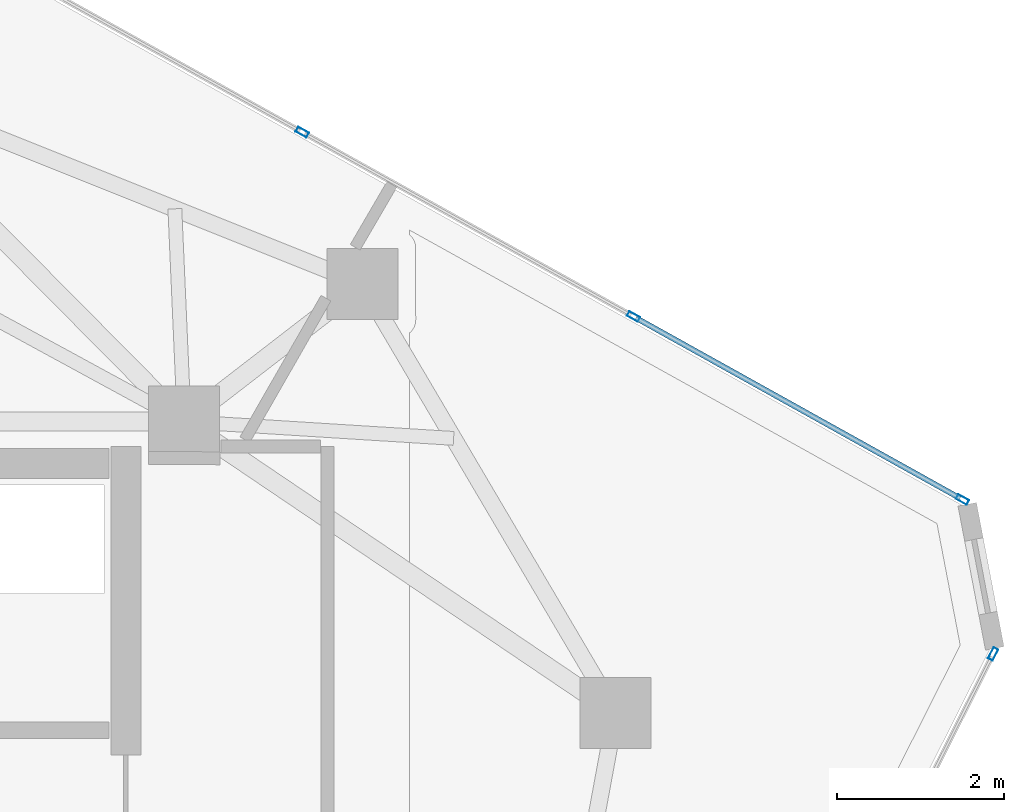
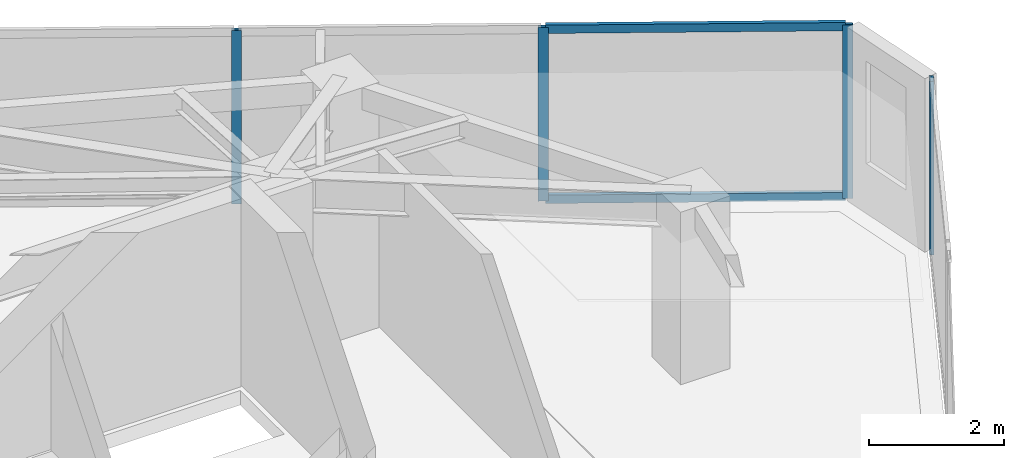
# One storey, part 15 of 20: 6 members, 2 elements without a shape of their own.
"""IFC4 building model written with IfcOpenShell, lengths in metres."""

from ifc_helpers import new_model, si_unit, direction, frame, origin, origin_2d, place, context, subcontext, project, spatial, hollow_rectangle, extrude, source, transform, mapped, material, layer, layer_set, material_profile, profile_set, type_object, type_shapes, element, aggregate, save


model = new_model("IFC4")

# Units and contexts
model_context = context("Model", 3, precision=1e-05, world=origin(), true_north=direction((0.0, 1.0)))
body_context = subcontext(model_context, "Body", "Model", "MODEL_VIEW")
ifc_project = project(units=[si_unit("LENGTHUNIT", "METRE"), si_unit("AREAUNIT", "SQUARE_METRE"), si_unit("VOLUMEUNIT", "CUBIC_METRE"), si_unit("PLANEANGLEUNIT", "RADIAN"), si_unit("MASSUNIT", "GRAM", prefix="KILO")], contexts=[model_context])

# Site, building, storey
site_placement = place(None, origin())
site = spatial("IfcSite", under=ifc_project, at=site_placement, CompositionType="ELEMENT")
building_placement = place(site_placement, origin())
building = spatial("IfcBuilding", under=site, at=building_placement, Name="Talar Marvaseh", CompositionType="ELEMENT")
storey_placement = place(building_placement, frame((0.0, 0.0, 285.0)))
storey = spatial("IfcBuildingStorey", under=building, at=storey_placement, Name="L76", CompositionType="ELEMENT", Elevation=285.0)

# Curtain wall, members
ifc_material = material(Name="Architectural Aluminium", Category="aluminium")
ifc_layer = layer(ifc_material, 0.179931640625)
ifc_layer_set = layer_set([ifc_layer], Name="Architectural Aluminium")
curtain_wall_type = type_object("IfcCurtainWallType", Name="Unitised High-Wind Sky Curtain Wall Z4", PredefinedType="NOTDEFINED", material=ifc_layer_set)
curtain_wall_1_placement = place(storey_placement, origin())
curtain_wall_1 = element("IfcCurtainWall", 1, at=curtain_wall_1_placement, inside=storey, type_object=curtain_wall_type, Name="L76 Unitised High-Wind Sky Curtain Wall Z4", PredefinedType="NOTDEFINED")
ifc_material_profile_1 = material_profile(ifc_material, hollow_rectangle(XDim=0.06494140625, YDim=0.14990234375, WallThickness=0.00390625, at=origin_2d()), Name="RHS150x65x4")
ifc_profile_set_1 = profile_set([ifc_material_profile_1], Name="Architectural Aluminium")
member_type_1 = type_object("IfcMemberType", Name="Unitised Curtain Wall Slim Mullion RHS150x65x4", PredefinedType="MULLION", material=ifc_profile_set_1)
shared_shape_1 = source(origin(), body_context, "Body", "SweptSolid", [
    extrude(hollow_rectangle(XDim=0.06494140625, YDim=0.14990234375, WallThickness=0.00390625, at=origin_2d()), origin(), (0.0, 0.0, 1.0), 3.139892578125),
])
type_shapes(member_type_1, [shared_shape_1])
member_1_placement = place(storey_placement, frame((34.715576171875, 40.369873046875, 0.0), z_axis=(0.0, 0.0, 1.0), x_axis=(0.486279216981, 0.873803480843, 0.0)))
member_1 = element("IfcMember", 2, at=member_1_placement, type_object=member_type_1, Name="CW-Z4 mullion 2", PredefinedType="MULLION", context=body_context, shape_type="MappedRepresentation", body=[
    mapped(shared_shape_1, transform((0.0, 0.0, 0.0), x_axis=(1.0, 0.0, 0.0), y_axis=(0.0, 1.0, 0.0), z_axis=(0.0, 0.0, 1.0), scale=1.0)),
])
member_2_placement = place(storey_placement, frame((38.68701171875, 38.15966796875, 0.0), z_axis=(0.0, 0.0, 1.0), x_axis=(0.486279216981, 0.873803480843, 0.0)))
member_2 = element("IfcMember", 3, at=member_2_placement, type_object=member_type_1, Name="CW-Z4 mullion 3", PredefinedType="MULLION", context=body_context, shape_type="MappedRepresentation", body=[
    mapped(shared_shape_1, transform((0.0, 0.0, 0.0), x_axis=(1.0, 0.0, 0.0), y_axis=(0.0, 1.0, 0.0), z_axis=(0.0, 0.0, 1.0), scale=1.0)),
])
member_3_placement = place(storey_placement, frame((42.6298828125, 35.96533203125, 0.0), z_axis=(0.0, 0.0, 1.0), x_axis=(0.486279216981, 0.873803480843, 0.0)))
member_3 = element("IfcMember", 4, at=member_3_placement, type_object=member_type_1, Name="CW-Z4 mullion 4", PredefinedType="MULLION", context=body_context, shape_type="MappedRepresentation", body=[
    mapped(shared_shape_1, transform((0.0, 0.0, 0.0), x_axis=(1.0, 0.0, 0.0), y_axis=(0.0, 1.0, 0.0), z_axis=(0.0, 0.0, 1.0), scale=1.0)),
])

# Curtain wall, member
curtain_wall_2_placement = place(storey_placement, origin())
curtain_wall_2 = element("IfcCurtainWall", 5, at=curtain_wall_2_placement, inside=storey, type_object=curtain_wall_type, Name="L76 Unitised High-Wind Sky Curtain Wall Z4", PredefinedType="NOTDEFINED")
member_4_placement = place(storey_placement, frame((42.998046875, 34.114501953125, 0.0), z_axis=(0.0, 0.0, 1.0), x_axis=(0.89290909223, -0.450236996494, 0.0)))
member_4 = element("IfcMember", 6, at=member_4_placement, type_object=member_type_1, Name="CW-Z4 mullion 1", PredefinedType="MULLION", context=body_context, shape_type="MappedRepresentation", body=[
    mapped(shared_shape_1, transform((0.0, 0.0, 0.0), x_axis=(1.0, 0.0, 0.0), y_axis=(0.0, 1.0, 0.0), z_axis=(0.0, 0.0, 1.0), scale=1.0)),
])
aggregate(curtain_wall_2, [member_4])

# Member
ifc_material_profile_2 = material_profile(ifc_material, hollow_rectangle(XDim=0.06494140625, YDim=0.14990234375, WallThickness=0.00390625, at=origin_2d()), Name="RHS150x65x4")
ifc_profile_set_2 = profile_set([ifc_material_profile_2], Name="Architectural Aluminium")
member_type_2 = type_object("IfcMemberType", Name="Unitised Curtain Wall Slim Transom RHS150x65x4", PredefinedType="USERDEFINED", material=ifc_profile_set_2)
shared_shape_2 = source(origin(), body_context, "Body", "SweptSolid", [
    extrude(hollow_rectangle(XDim=0.06494140625, YDim=0.14990234375, WallThickness=0.00390625, at=origin_2d()), origin(), (0.0, 0.0, 1.0), 4.447509765625),
])
type_shapes(member_type_2, [shared_shape_2])
member_5_placement = place(storey_placement, frame((38.71533203125, 38.143798828125, 0.032470703125), z_axis=(0.873815261872, -0.486258046844, 0.0), x_axis=(0.486258046844, 0.873815261872, 0.0)))
member_5 = element("IfcMember", 7, at=member_5_placement, type_object=member_type_2, Name="CW-Z4 transom 3.1", ObjectType="TRANSOM", PredefinedType="USERDEFINED", context=body_context, shape_type="MappedRepresentation", body=[
    mapped(shared_shape_2, transform((0.0, 0.0, 0.0), x_axis=(1.0, 0.0, 0.0), y_axis=(0.0, 1.0, 0.0), z_axis=(0.0, 0.0, 1.0), scale=1.0)),
])

member_6_placement = place(storey_placement, frame((38.71533203125, 38.143798828125, 3.107421875), z_axis=(0.873815261872, -0.486258046844, 0.0), x_axis=(0.486258046844, 0.873815261872, 0.0)))
member_6 = element("IfcMember", 8, at=member_6_placement, type_object=member_type_2, Name="CW-Z4 transom 3.2", ObjectType="TRANSOM", PredefinedType="USERDEFINED", context=body_context, shape_type="MappedRepresentation", body=[
    mapped(shared_shape_2, transform((0.0, 0.0, 0.0), x_axis=(1.0, 0.0, 0.0), y_axis=(0.0, 1.0, 0.0), z_axis=(0.0, 0.0, 1.0), scale=1.0)),
])

aggregate(curtain_wall_1, [member_1, member_2, member_3, member_5, member_6])

save(model, "model.ifc")
